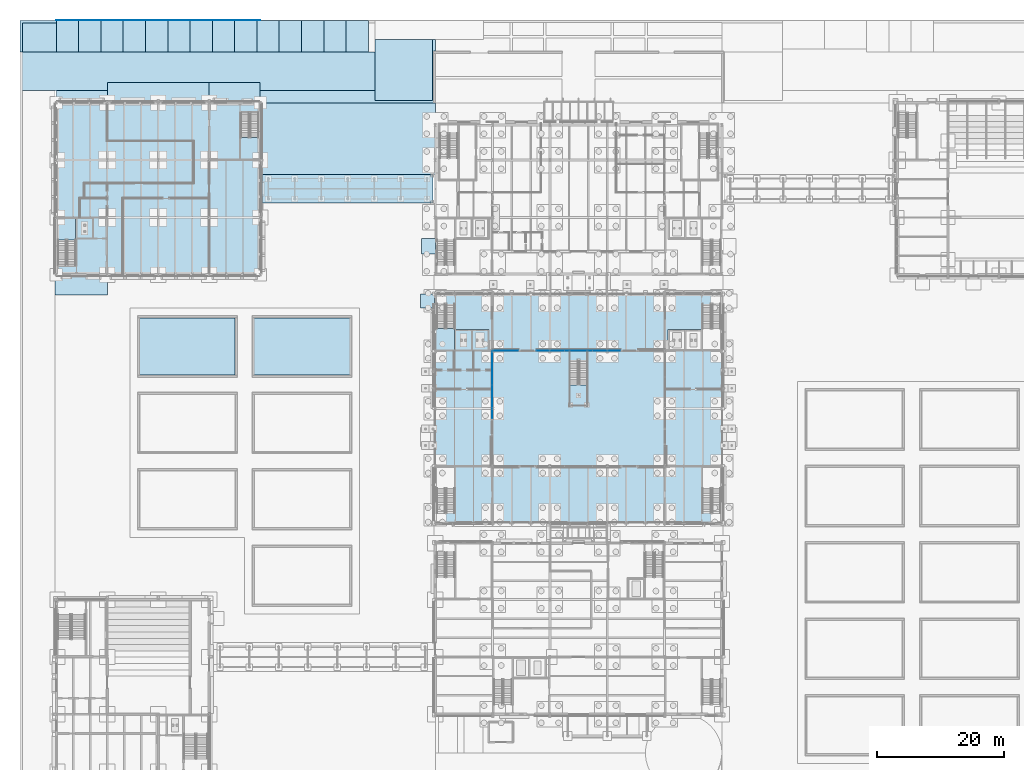
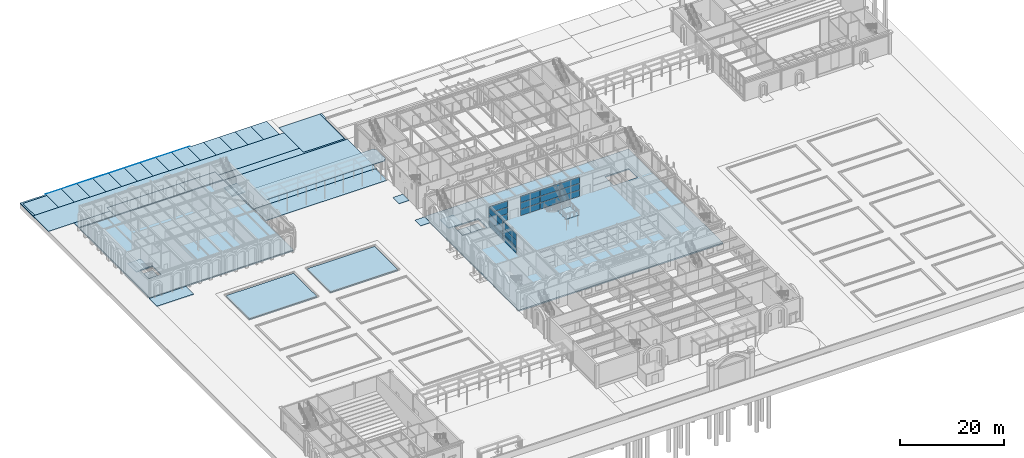
# One storey, part 61 of 126: 40 slabs, 18 plates, 7 elements without a shape of their own.
"""IFC4 building model written with IfcOpenShell, lengths in metres."""

from ifc_helpers import new_model, si_unit, direction, frame, origin, origin_2d, place, context, subcontext, project, spatial, polyline, rectangle, outline, extrude, material, layer, layer_set, type_object, element, aggregate, save


model = new_model("IFC4")

# Units and contexts
model_context = context("Model", 3, precision=1e-05, world=origin(), true_north=direction((0.0, 1.0)))
body_context = subcontext(model_context, "Body", "Model", "MODEL_VIEW")
ifc_project = project(units=[si_unit("LENGTHUNIT", "METRE"), si_unit("AREAUNIT", "SQUARE_METRE"), si_unit("VOLUMEUNIT", "CUBIC_METRE"), si_unit("PLANEANGLEUNIT", "RADIAN"), si_unit("MASSUNIT", "GRAM", prefix="KILO")], contexts=[model_context])

# Site, building, storey
site_placement = place(None, origin())
site = spatial("IfcSite", under=ifc_project, at=site_placement, CompositionType="ELEMENT")
building_placement = place(site_placement, origin())
building = spatial("IfcBuilding", under=site, at=building_placement, Name="Kallimachos Central Library", CompositionType="ELEMENT")
storey_placement = place(building_placement, origin())
storey = spatial("IfcBuildingStorey", under=building, at=storey_placement, Name="L00", CompositionType="ELEMENT", Elevation=0.0)

# Slab
ifc_material_1 = material(Name="Composite slab C30/37 on steel deck", Category="concrete")
ifc_layer_1 = layer(ifc_material_1, 0.14990234375)
ifc_layer_set_1 = layer_set([ifc_layer_1], Name="Arcade roof slab 150")
slab_type_1 = type_object("IfcSlabType", Name="Arcade roof slab 150", PredefinedType="ROOF", material=ifc_layer_set_1)
slab_1_placement = place(storey_placement, frame((0.0, 0.0, 4.64990234375)))
element("IfcSlab", 1, at=slab_1_placement, inside=storey, type_object=slab_type_1, Name="Arcade A1 roof", PredefinedType="ROOF", context=body_context, shape_type="SweptSolid", body=[
    extrude(outline(polyline([(38.300048828125, 98.25), (64.77490234375, 98.25), (64.77490234375, 98.60009765625), (65.175048828125, 98.60009765625), (65.175048828125, 102.39990234375), (64.77490234375, 102.39990234375), (64.77490234375, 102.75), (38.300048828125, 102.75), (38.300048828125, 98.25)])), origin(), (0.0, 0.0, 1.0), 0.150146484375),
])

# Curtain wall, plates
ifc_material_2 = material(Name="Aluminium and laminated glass", Category="aluminium")
curtain_wall_type = type_object("IfcCurtainWallType", Name="Atrium glazed screen", PredefinedType="NOTDEFINED", material=ifc_material_2)
curtain_wall_1_placement = place(storey_placement, origin())
curtain_wall_1 = element("IfcCurtainWall", 2, at=curtain_wall_1_placement, inside=storey, type_object=curtain_wall_type, Name="L00 atrium screen N", PredefinedType="NOTDEFINED")
ifc_material_3 = material(Name="Laminated glass", Category="glass")
ifc_layer_2 = layer(ifc_material_3, 0.028076171875)
ifc_layer_set_2 = layer_set([ifc_layer_2], Name="Atrium screen glass panel")
plate_type = type_object("IfcPlateType", Name="Atrium screen glass panel", PredefinedType="CURTAIN_PANEL", material=ifc_layer_set_2)
plate_1_placement = place(storey_placement, frame((76.550048828125, 75.080078125, 0.06005859375), z_axis=(0.0, 0.0, 1.0), x_axis=(1.0, 0.0, 0.0)))
plate_1 = element("IfcPlate", 3, at=plate_1_placement, type_object=plate_type, Name="CW panel 1.1", PredefinedType="CURTAIN_PANEL", context=body_context, shape_type="SweptSolid", body=[
    extrude(rectangle(XDim=3.97998046875, YDim=0.028076171875, at=origin_2d()), origin(), (0.0, 0.0, 1.0), 1.4599609375),
])
plate_2_placement = place(storey_placement, frame((76.550048828125, 75.080078125, 1.580078125), z_axis=(0.0, 0.0, 1.0), x_axis=(1.0, 0.0, 0.0)))
plate_2 = element("IfcPlate", 4, at=plate_2_placement, type_object=plate_type, Name="CW panel 1.2", PredefinedType="CURTAIN_PANEL", context=body_context, shape_type="SweptSolid", body=[
    extrude(rectangle(XDim=3.97998046875, YDim=0.028076171875, at=origin_2d()), origin(), (0.0, 0.0, 1.0), 1.489990234375),
])
plate_3_placement = place(storey_placement, frame((76.550048828125, 75.080078125, 3.130126953125), z_axis=(0.0, 0.0, 1.0), x_axis=(1.0, 0.0, 0.0)))
plate_3 = element("IfcPlate", 5, at=plate_3_placement, type_object=plate_type, Name="CW panel 1.3", PredefinedType="CURTAIN_PANEL", context=body_context, shape_type="SweptSolid", body=[
    extrude(rectangle(XDim=3.97998046875, YDim=0.028076171875, at=origin_2d()), origin(), (0.0, 0.0, 1.0), 1.4599609375),
])
aggregate(curtain_wall_1, [plate_1, plate_2, plate_3])

curtain_wall_2_placement = place(storey_placement, origin())
curtain_wall_2 = element("IfcCurtainWall", 6, at=curtain_wall_2_placement, inside=storey, type_object=curtain_wall_type, Name="L00 atrium screen N", PredefinedType="NOTDEFINED")
plate_4_placement = place(storey_placement, frame((83.614990234375, 75.080078125, 0.06005859375), z_axis=(0.0, 0.0, 1.0), x_axis=(1.0, 0.0, 0.0)))
plate_4 = element("IfcPlate", 7, at=plate_4_placement, type_object=plate_type, Name="CW panel 1.1", PredefinedType="CURTAIN_PANEL", context=body_context, shape_type="SweptSolid", body=[
    extrude(rectangle(XDim=4.31005859375, YDim=0.028076171875, at=origin_2d()), origin(), (0.0, 0.0, 1.0), 1.4599609375),
])
plate_5_placement = place(storey_placement, frame((83.614990234375, 75.080078125, 1.580078125), z_axis=(0.0, 0.0, 1.0), x_axis=(1.0, 0.0, 0.0)))
plate_5 = element("IfcPlate", 8, at=plate_5_placement, type_object=plate_type, Name="CW panel 1.2", PredefinedType="CURTAIN_PANEL", context=body_context, shape_type="SweptSolid", body=[
    extrude(rectangle(XDim=4.31005859375, YDim=0.028076171875, at=origin_2d()), origin(), (0.0, 0.0, 1.0), 1.489990234375),
])
plate_6_placement = place(storey_placement, frame((83.614990234375, 75.080078125, 3.130126953125), z_axis=(0.0, 0.0, 1.0), x_axis=(1.0, 0.0, 0.0)))
plate_6 = element("IfcPlate", 9, at=plate_6_placement, type_object=plate_type, Name="CW panel 1.3", PredefinedType="CURTAIN_PANEL", context=body_context, shape_type="SweptSolid", body=[
    extrude(rectangle(XDim=4.31005859375, YDim=0.028076171875, at=origin_2d()), origin(), (0.0, 0.0, 1.0), 1.4599609375),
])
plate_7_placement = place(storey_placement, frame((88.0, 75.080078125, 0.06005859375), z_axis=(0.0, 0.0, 1.0), x_axis=(1.0, 0.0, 0.0)))
plate_7 = element("IfcPlate", 10, at=plate_7_placement, type_object=plate_type, Name="CW panel 2.1", PredefinedType="CURTAIN_PANEL", context=body_context, shape_type="SweptSolid", body=[
    extrude(rectangle(XDim=4.340087890625, YDim=0.028076171875, at=origin_2d()), origin(), (0.0, 0.0, 1.0), 1.4599609375),
])
plate_8_placement = place(storey_placement, frame((88.0, 75.080078125, 1.580078125), z_axis=(0.0, 0.0, 1.0), x_axis=(1.0, 0.0, 0.0)))
plate_8 = element("IfcPlate", 11, at=plate_8_placement, type_object=plate_type, Name="CW panel 2.2", PredefinedType="CURTAIN_PANEL", context=body_context, shape_type="SweptSolid", body=[
    extrude(rectangle(XDim=4.340087890625, YDim=0.028076171875, at=origin_2d()), origin(), (0.0, 0.0, 1.0), 1.489990234375),
])
plate_9_placement = place(storey_placement, frame((88.0, 75.080078125, 3.130126953125), z_axis=(0.0, 0.0, 1.0), x_axis=(1.0, 0.0, 0.0)))
plate_9 = element("IfcPlate", 12, at=plate_9_placement, type_object=plate_type, Name="CW panel 2.3", PredefinedType="CURTAIN_PANEL", context=body_context, shape_type="SweptSolid", body=[
    extrude(rectangle(XDim=4.340087890625, YDim=0.028076171875, at=origin_2d()), origin(), (0.0, 0.0, 1.0), 1.4599609375),
])
plate_10_placement = place(storey_placement, frame((92.385009765625, 75.080078125, 0.06005859375), z_axis=(0.0, 0.0, 1.0), x_axis=(1.0, 0.0, 0.0)))
plate_10 = element("IfcPlate", 13, at=plate_10_placement, type_object=plate_type, Name="CW panel 3.1", PredefinedType="CURTAIN_PANEL", context=body_context, shape_type="SweptSolid", body=[
    extrude(rectangle(XDim=4.31005859375, YDim=0.028076171875, at=origin_2d()), origin(), (0.0, 0.0, 1.0), 1.4599609375),
])
plate_11_placement = place(storey_placement, frame((92.385009765625, 75.080078125, 1.580078125), z_axis=(0.0, 0.0, 1.0), x_axis=(1.0, 0.0, 0.0)))
plate_11 = element("IfcPlate", 14, at=plate_11_placement, type_object=plate_type, Name="CW panel 3.2", PredefinedType="CURTAIN_PANEL", context=body_context, shape_type="SweptSolid", body=[
    extrude(rectangle(XDim=4.31005859375, YDim=0.028076171875, at=origin_2d()), origin(), (0.0, 0.0, 1.0), 1.489990234375),
])
plate_12_placement = place(storey_placement, frame((92.385009765625, 75.080078125, 3.130126953125), z_axis=(0.0, 0.0, 1.0), x_axis=(1.0, 0.0, 0.0)))
plate_12 = element("IfcPlate", 15, at=plate_12_placement, type_object=plate_type, Name="CW panel 3.3", PredefinedType="CURTAIN_PANEL", context=body_context, shape_type="SweptSolid", body=[
    extrude(rectangle(XDim=4.31005859375, YDim=0.028076171875, at=origin_2d()), origin(), (0.0, 0.0, 1.0), 1.4599609375),
])
aggregate(curtain_wall_2, [plate_4, plate_5, plate_6, plate_7, plate_8, plate_9, plate_10, plate_11, plate_12])

curtain_wall_3_placement = place(storey_placement, origin())
curtain_wall_3 = element("IfcCurtainWall", 16, at=curtain_wall_3_placement, inside=storey, type_object=curtain_wall_type, Name="L00 atrium screen W", PredefinedType="NOTDEFINED")
plate_13_placement = place(storey_placement, frame((74.419921875, 67.06494140625, 0.06005859375), z_axis=(0.0, 0.0, 1.0), x_axis=(0.0, 1.0, 0.0)))
plate_13 = element("IfcPlate", 17, at=plate_13_placement, type_object=plate_type, Name="CW panel 1.1", PredefinedType="CURTAIN_PANEL", context=body_context, shape_type="SweptSolid", body=[
    extrude(rectangle(XDim=5.2099609375, YDim=0.028076171875, at=origin_2d()), origin(), (0.0, 0.0, 1.0), 1.4599609375),
])
plate_14_placement = place(storey_placement, frame((74.419921875, 67.06494140625, 1.580078125), z_axis=(0.0, 0.0, 1.0), x_axis=(0.0, 1.0, 0.0)))
plate_14 = element("IfcPlate", 18, at=plate_14_placement, type_object=plate_type, Name="CW panel 1.2", PredefinedType="CURTAIN_PANEL", context=body_context, shape_type="SweptSolid", body=[
    extrude(rectangle(XDim=5.2099609375, YDim=0.028076171875, at=origin_2d()), origin(), (0.0, 0.0, 1.0), 1.489990234375),
])
plate_15_placement = place(storey_placement, frame((74.419921875, 67.06494140625, 3.130126953125), z_axis=(0.0, 0.0, 1.0), x_axis=(0.0, 1.0, 0.0)))
plate_15 = element("IfcPlate", 19, at=plate_15_placement, type_object=plate_type, Name="CW panel 1.3", PredefinedType="CURTAIN_PANEL", context=body_context, shape_type="SweptSolid", body=[
    extrude(rectangle(XDim=5.2099609375, YDim=0.028076171875, at=origin_2d()), origin(), (0.0, 0.0, 1.0), 1.4599609375),
])
plate_16_placement = place(storey_placement, frame((74.419921875, 72.3349609375, 0.06005859375), z_axis=(0.0, 0.0, 1.0), x_axis=(0.0, 1.0, 0.0)))
plate_16 = element("IfcPlate", 20, at=plate_16_placement, type_object=plate_type, Name="CW panel 2.1", PredefinedType="CURTAIN_PANEL", context=body_context, shape_type="SweptSolid", body=[
    extrude(rectangle(XDim=5.2099609375, YDim=0.028076171875, at=origin_2d()), origin(), (0.0, 0.0, 1.0), 1.4599609375),
])
plate_17_placement = place(storey_placement, frame((74.419921875, 72.3349609375, 1.580078125), z_axis=(0.0, 0.0, 1.0), x_axis=(0.0, 1.0, 0.0)))
plate_17 = element("IfcPlate", 21, at=plate_17_placement, type_object=plate_type, Name="CW panel 2.2", PredefinedType="CURTAIN_PANEL", context=body_context, shape_type="SweptSolid", body=[
    extrude(rectangle(XDim=5.2099609375, YDim=0.028076171875, at=origin_2d()), origin(), (0.0, 0.0, 1.0), 1.489990234375),
])
plate_18_placement = place(storey_placement, frame((74.419921875, 72.3349609375, 3.130126953125), z_axis=(0.0, 0.0, 1.0), x_axis=(0.0, 1.0, 0.0)))
plate_18 = element("IfcPlate", 22, at=plate_18_placement, type_object=plate_type, Name="CW panel 2.3", PredefinedType="CURTAIN_PANEL", context=body_context, shape_type="SweptSolid", body=[
    extrude(rectangle(XDim=5.2099609375, YDim=0.028076171875, at=origin_2d()), origin(), (0.0, 0.0, 1.0), 1.4599609375),
])
aggregate(curtain_wall_3, [plate_13, plate_14, plate_15, plate_16, plate_17, plate_18])

# Slabs
ifc_material_4 = material(Name="Concrete C30/37", Category="concrete")
ifc_layer_3 = layer(ifc_material_4, 0.14990234375)
ifc_layer_set_3 = layer_set([ifc_layer_3], Name="Drive paving 150")
slab_type_2 = type_object("IfcSlabType", Name="Drive paving 150", PredefinedType="BASESLAB", material=ifc_layer_set_3)
slab_2_placement = place(storey_placement, frame((0.0, 0.0, -0.14990234375)))
element("IfcSlab", 23, at=slab_2_placement, inside=storey, type_object=slab_type_2, Name="Drive Aisle West", PredefinedType="BASESLAB", context=body_context, shape_type="SweptSolid", body=[
    extrude(outline(polyline([(56.0, 121.949951171875), (56.0, 115.949951171875), (38.0, 115.949951171875), (38.0, 117.199951171875), (14.0, 117.199951171875), (14.0, 115.949951171875), (0.300048828125, 115.949951171875), (0.300048828125, 121.949951171875), (56.0, 121.949951171875)])), origin(), (0.0, 0.0, 1.0), 0.14990234375),
])
slab_3_placement = place(storey_placement, frame((0.0, 0.0, -0.14990234375)))
element("IfcSlab", 24, at=slab_3_placement, inside=storey, type_object=slab_type_2, Name="Turning Area West", PredefinedType="BASESLAB", context=body_context, shape_type="SweptSolid", body=[
    extrude(outline(polyline([(65.10009765625, 114.39990234375), (56.0, 114.39990234375), (56.0, 123.949951171875), (65.10009765625, 123.949951171875), (65.10009765625, 114.39990234375)])), origin(), (0.0, 0.0, 1.0), 0.14990234375),
])
ifc_material_5 = material(Name="Concrete C30/37 with granite paving", Category="masonry")
ifc_layer_4 = layer(ifc_material_5, 0.199951171875)
ifc_layer_set_4 = layer_set([ifc_layer_4], Name="Entrance paving slab 200")
slab_type_3 = type_object("IfcSlabType", Name="Entrance paving slab 200", PredefinedType="FLOOR", material=ifc_layer_set_4)
slab_4_placement = place(storey_placement, frame((0.0, 0.0, -0.199951171875)))
element("IfcSlab", 25, at=slab_4_placement, inside=storey, type_object=slab_type_3, Name="Forecourt paving", PredefinedType="FLOOR", context=body_context, shape_type="SweptSolid", body=[
    extrude(outline(polyline([(14.0, 114.199951171875), (30.0, 114.199951171875), (30.0, 117.199951171875), (14.0, 117.199951171875), (14.0, 114.199951171875)])), origin(), (0.0, 0.0, 1.0), 0.199951171875),
])
slab_5_placement = place(storey_placement, frame((0.0, 0.0, -0.199951171875)))
element("IfcSlab", 26, at=slab_5_placement, inside=storey, type_object=slab_type_3, Name="Forecourt paving", PredefinedType="FLOOR", context=body_context, shape_type="SweptSolid", body=[
    extrude(outline(polyline([(30.0, 114.199951171875), (38.0, 114.199951171875), (38.0, 117.199951171875), (30.0, 117.199951171875), (30.0, 114.199951171875)])), origin(), (0.0, 0.0, 1.0), 0.199951171875),
])
slab_6_placement = place(storey_placement, frame((0.0, 0.0, -0.199951171875)))
element("IfcSlab", 27, at=slab_6_placement, inside=storey, type_object=slab_type_3, Name="Forecourt paving", PredefinedType="FLOOR", context=body_context, shape_type="SweptSolid", body=[
    extrude(outline(polyline([(5.800048828125, 83.800048828125), (14.0, 83.800048828125), (14.0, 86.800048828125), (5.800048828125, 86.800048828125), (5.800048828125, 83.800048828125)])), origin(), (0.0, 0.0, 1.0), 0.199951171875),
])
ifc_material_6 = material(Name="Concrete C30/37", Category="concrete")
ifc_layer_5 = layer(ifc_material_6, 0.300048828125)
ifc_layer_set_5 = layer_set([ifc_layer_5], Name="Ground floor slab 300")
slab_type_4 = type_object("IfcSlabType", Name="Ground floor slab 300", PredefinedType="BASESLAB", material=ifc_layer_set_5)
slab_7_placement = place(storey_placement, frame((0.0, 0.0, -0.300048828125)))
element("IfcSlab", 28, at=slab_7_placement, inside=storey, type_object=slab_type_4, Name="V4-SLB-L00-005", PredefinedType="BASESLAB", context=body_context, shape_type="SweptSolid", body=[
    extrude(outline(polyline([(65.35009765625, 47.85009765625), (65.35009765625, 84.14990234375), (110.64990234375, 84.14990234375), (110.64990234375, 47.85009765625), (65.35009765625, 47.85009765625)]), holes=[polyline([(68.550048828125, 75.0), (73.949951171875, 75.0), (73.949951171875, 78.39990234375), (68.550048828125, 78.39990234375), (68.550048828125, 75.0)]), polyline([(107.449951171875, 78.39990234375), (102.050048828125, 78.39990234375), (102.050048828125, 75.0), (107.449951171875, 75.0), (107.449951171875, 78.39990234375)])]), origin(), (0.0, 0.0, 1.0), 0.300048828125),
])
ifc_material_7 = material(Name="Concrete C30/37", Category="concrete")
ifc_layer_6 = layer(ifc_material_7, 0.300048828125)
ifc_layer_set_6 = layer_set([ifc_layer_6], Name="Ground slab 300")
slab_type_5 = type_object("IfcSlabType", Name="Ground slab 300", PredefinedType="BASESLAB", material=ifc_layer_set_6)
slab_8_placement = place(storey_placement, frame((0.0, 0.0, -0.300048828125)))
element("IfcSlab", 29, at=slab_8_placement, inside=storey, type_object=slab_type_5, Name="V2-SLB-L00-002", PredefinedType="BASESLAB", context=body_context, shape_type="SweptSolid", body=[
    extrude(outline(polyline([(6.0, 114.0), (38.0, 114.0), (38.0, 87.0), (6.0, 87.0), (6.0, 114.0)]), holes=[polyline([(11.85009765625, 92.60009765625), (11.85009765625, 96.0), (9.050048828125, 96.0), (9.050048828125, 92.60009765625), (11.85009765625, 92.60009765625)])]), origin(), (0.0, 0.0, 1.0), 0.300048828125),
])
ifc_material_8 = material(Name="Concrete C30/37", Category="concrete")
ifc_layer_7 = layer(ifc_material_8, 0.300048828125)
ifc_layer_set_7 = layer_set([ifc_layer_7], Name="Lift pit slab 300")
slab_type_6 = type_object("IfcSlabType", Name="Lift pit slab 300", PredefinedType="BASESLAB", material=ifc_layer_set_7)
slab_9_placement = place(storey_placement, frame((0.0, 0.0, -1.39990234375)))
element("IfcSlab", 30, at=slab_9_placement, inside=storey, type_object=slab_type_6, Name="V4-SLB-L00-001", PredefinedType="BASESLAB", context=body_context, shape_type="SweptSolid", body=[
    extrude(outline(polyline([(68.550048828125, 75.0), (71.35009765625, 75.0), (71.35009765625, 78.39990234375), (68.550048828125, 78.39990234375), (68.550048828125, 75.0)])), origin(), (0.0, 0.0, 1.0), 0.2998046875),
])
slab_10_placement = place(storey_placement, frame((0.0, 0.0, -1.39990234375)))
element("IfcSlab", 31, at=slab_10_placement, inside=storey, type_object=slab_type_6, Name="V4-SLB-L00-002", PredefinedType="BASESLAB", context=body_context, shape_type="SweptSolid", body=[
    extrude(outline(polyline([(73.949951171875, 78.39990234375), (73.949951171875, 75.0), (71.35009765625, 75.0), (71.35009765625, 78.39990234375), (73.949951171875, 78.39990234375)])), origin(), (0.0, 0.0, 1.0), 0.2998046875),
])
slab_11_placement = place(storey_placement, frame((0.0, 0.0, -1.39990234375)))
element("IfcSlab", 32, at=slab_11_placement, inside=storey, type_object=slab_type_6, Name="V2-SLB-L00-001", PredefinedType="BASESLAB", context=body_context, shape_type="SweptSolid", body=[
    extrude(outline(polyline([(9.050048828125, 92.60009765625), (11.85009765625, 92.60009765625), (11.85009765625, 96.0), (9.050048828125, 96.0), (9.050048828125, 92.60009765625)])), origin(), (0.0, 0.0, 1.0), 0.2998046875),
])
ifc_material_9 = material(Name="Concrete C30/37", Category="concrete")
ifc_layer_8 = layer(ifc_material_9, 0.14990234375)
ifc_layer_set_8 = layer_set([ifc_layer_8], Name="Parking bay paving 150")
slab_type_7 = type_object("IfcSlabType", Name="Parking bay paving 150", PredefinedType="BASESLAB", material=ifc_layer_set_8)
slab_12_placement = place(storey_placement, frame((0.0, 0.0, -0.14990234375)))
element("IfcSlab", 33, at=slab_12_placement, inside=storey, type_object=slab_type_7, Name="Accessible Parking Bay 1", PredefinedType="BASESLAB", context=body_context, shape_type="SweptSolid", body=[
    extrude(outline(polyline([(6.0, 121.949951171875), (6.0, 126.949951171875), (9.5, 126.949951171875), (9.5, 121.949951171875), (6.0, 121.949951171875)])), origin(), (0.0, 0.0, 1.0), 0.14990234375),
])
slab_13_placement = place(storey_placement, frame((0.0, 0.0, -0.14990234375)))
element("IfcSlab", 34, at=slab_13_placement, inside=storey, type_object=slab_type_7, Name="Accessible Parking Bay 2", PredefinedType="BASESLAB", context=body_context, shape_type="SweptSolid", body=[
    extrude(outline(polyline([(13.0, 126.949951171875), (13.0, 121.949951171875), (9.5, 121.949951171875), (9.5, 126.949951171875), (13.0, 126.949951171875)])), origin(), (0.0, 0.0, 1.0), 0.14990234375),
])
slab_14_placement = place(storey_placement, frame((0.0, 0.0, -0.14990234375)))
element("IfcSlab", 35, at=slab_14_placement, inside=storey, type_object=slab_type_7, Name="Accessible Parking Bay 3", PredefinedType="BASESLAB", context=body_context, shape_type="SweptSolid", body=[
    extrude(outline(polyline([(16.5, 126.949951171875), (16.5, 121.949951171875), (13.0, 121.949951171875), (13.0, 126.949951171875), (16.5, 126.949951171875)])), origin(), (0.0, 0.0, 1.0), 0.14990234375),
])
slab_15_placement = place(storey_placement, frame((0.0, 0.0, -0.14990234375)))
element("IfcSlab", 36, at=slab_15_placement, inside=storey, type_object=slab_type_7, Name="Accessible Parking Bay 4", PredefinedType="BASESLAB", context=body_context, shape_type="SweptSolid", body=[
    extrude(outline(polyline([(20.0, 126.949951171875), (20.0, 121.949951171875), (16.5, 121.949951171875), (16.5, 126.949951171875), (20.0, 126.949951171875)])), origin(), (0.0, 0.0, 1.0), 0.14990234375),
])
slab_16_placement = place(storey_placement, frame((0.0, 0.0, -0.14990234375)))
element("IfcSlab", 37, at=slab_16_placement, inside=storey, type_object=slab_type_7, Name="Accessible Parking Bay 5", PredefinedType="BASESLAB", context=body_context, shape_type="SweptSolid", body=[
    extrude(outline(polyline([(23.5, 126.949951171875), (23.5, 121.949951171875), (20.0, 121.949951171875), (20.0, 126.949951171875), (23.5, 126.949951171875)])), origin(), (0.0, 0.0, 1.0), 0.14990234375),
])
slab_17_placement = place(storey_placement, frame((0.0, 0.0, -0.14990234375)))
element("IfcSlab", 38, at=slab_17_placement, inside=storey, type_object=slab_type_7, Name="Accessible Parking Bay 6", PredefinedType="BASESLAB", context=body_context, shape_type="SweptSolid", body=[
    extrude(outline(polyline([(27.0, 126.949951171875), (27.0, 121.949951171875), (23.5, 121.949951171875), (23.5, 126.949951171875), (27.0, 126.949951171875)])), origin(), (0.0, 0.0, 1.0), 0.14990234375),
])
slab_18_placement = place(storey_placement, frame((0.0, 0.0, -0.14990234375)))
element("IfcSlab", 39, at=slab_18_placement, inside=storey, type_object=slab_type_7, Name="Accessible Parking Bay 7", PredefinedType="BASESLAB", context=body_context, shape_type="SweptSolid", body=[
    extrude(outline(polyline([(30.5, 126.949951171875), (30.5, 121.949951171875), (27.0, 121.949951171875), (27.0, 126.949951171875), (30.5, 126.949951171875)])), origin(), (0.0, 0.0, 1.0), 0.14990234375),
])
slab_19_placement = place(storey_placement, frame((0.0, 0.0, -0.14990234375)))
element("IfcSlab", 40, at=slab_19_placement, inside=storey, type_object=slab_type_7, Name="Accessible Parking Bay 8", PredefinedType="BASESLAB", context=body_context, shape_type="SweptSolid", body=[
    extrude(outline(polyline([(34.0, 126.949951171875), (34.0, 121.949951171875), (30.5, 121.949951171875), (30.5, 126.949951171875), (34.0, 126.949951171875)])), origin(), (0.0, 0.0, 1.0), 0.14990234375),
])
slab_20_placement = place(storey_placement, frame((0.0, 0.0, -0.14990234375)))
element("IfcSlab", 41, at=slab_20_placement, inside=storey, type_object=slab_type_7, Name="Accessible Parking Bay 9", PredefinedType="BASESLAB", context=body_context, shape_type="SweptSolid", body=[
    extrude(outline(polyline([(37.5, 126.949951171875), (37.5, 121.949951171875), (34.0, 121.949951171875), (34.0, 126.949951171875), (37.5, 126.949951171875)])), origin(), (0.0, 0.0, 1.0), 0.14990234375),
])
slab_21_placement = place(storey_placement, frame((0.0, 0.0, -0.14990234375)))
element("IfcSlab", 42, at=slab_21_placement, inside=storey, type_object=slab_type_7, Name="Accessible Parking Bay 10", PredefinedType="BASESLAB", context=body_context, shape_type="SweptSolid", body=[
    extrude(outline(polyline([(41.0, 126.949951171875), (41.0, 121.949951171875), (37.5, 121.949951171875), (37.5, 126.949951171875), (41.0, 126.949951171875)])), origin(), (0.0, 0.0, 1.0), 0.14990234375),
])
slab_22_placement = place(storey_placement, frame((0.0, 0.0, -0.14990234375)))
element("IfcSlab", 43, at=slab_22_placement, inside=storey, type_object=slab_type_7, Name="Accessible Parking Bay 11", PredefinedType="BASESLAB", context=body_context, shape_type="SweptSolid", body=[
    extrude(outline(polyline([(44.5, 126.949951171875), (44.5, 121.949951171875), (41.0, 121.949951171875), (41.0, 126.949951171875), (44.5, 126.949951171875)])), origin(), (0.0, 0.0, 1.0), 0.14990234375),
])
slab_23_placement = place(storey_placement, frame((0.0, 0.0, -0.14990234375)))
element("IfcSlab", 44, at=slab_23_placement, inside=storey, type_object=slab_type_7, Name="Accessible Parking Bay 12", PredefinedType="BASESLAB", context=body_context, shape_type="SweptSolid", body=[
    extrude(outline(polyline([(48.0, 126.949951171875), (48.0, 121.949951171875), (44.5, 121.949951171875), (44.5, 126.949951171875), (48.0, 126.949951171875)])), origin(), (0.0, 0.0, 1.0), 0.14990234375),
])
slab_24_placement = place(storey_placement, frame((0.0, 0.0, -0.14990234375)))
element("IfcSlab", 45, at=slab_24_placement, inside=storey, type_object=slab_type_7, Name="Accessible Parking Bay 13", PredefinedType="BASESLAB", context=body_context, shape_type="SweptSolid", body=[
    extrude(outline(polyline([(51.5, 126.949951171875), (51.5, 121.949951171875), (48.0, 121.949951171875), (48.0, 126.949951171875), (51.5, 126.949951171875)])), origin(), (0.0, 0.0, 1.0), 0.14990234375),
])
slab_25_placement = place(storey_placement, frame((0.0, 0.0, -0.14990234375)))
element("IfcSlab", 46, at=slab_25_placement, inside=storey, type_object=slab_type_7, Name="Accessible Parking Bay 14", PredefinedType="BASESLAB", context=body_context, shape_type="SweptSolid", body=[
    extrude(outline(polyline([(55.0, 126.949951171875), (55.0, 121.949951171875), (51.5, 121.949951171875), (51.5, 126.949951171875), (55.0, 126.949951171875)])), origin(), (0.0, 0.0, 1.0), 0.14990234375),
])
ifc_material_10 = material(Name="Concrete C30/37", Category="concrete")
ifc_layer_9 = layer(ifc_material_10, 0.14990234375)
ifc_layer_set_9 = layer_set([ifc_layer_9], Name="Paving slab 150")
slab_type_8 = type_object("IfcSlabType", Name="Paving slab 150", PredefinedType="BASESLAB", material=ifc_layer_set_9)
slab_26_placement = place(storey_placement, frame((0.0, 0.0, -0.14990234375)))
element("IfcSlab", 47, at=slab_26_placement, inside=storey, type_object=slab_type_8, Name="Court of Honour B", PredefinedType="BASESLAB", context=body_context, shape_type="SweptSolid", body=[
    extrude(outline(polyline([(38.0, 115.949951171875), (56.0, 115.949951171875), (56.0, 114.39990234375), (65.10009765625, 114.39990234375), (65.10009765625, 123.949951171875), (65.5, 123.949951171875), (65.5, 122.10009765625), (65.199951171875, 122.10009765625), (65.199951171875, 114.0), (38.0, 114.0), (38.0, 115.949951171875)])), origin(), (0.0, 0.0, 1.0), 0.14990234375),
])
slab_27_placement = place(storey_placement, frame((0.0, 0.0, -0.14990234375)))
element("IfcSlab", 48, at=slab_27_placement, inside=storey, type_object=slab_type_8, Name="West Park Forecourt A", PredefinedType="BASESLAB", context=body_context, shape_type="SweptSolid", body=[
    extrude(outline(polyline([(38.0, 126.949951171875), (6.0, 126.949951171875), (6.0, 127.0), (38.0, 127.0), (38.0, 126.949951171875)])), origin(), (0.0, 0.0, 1.0), 0.14990234375),
])
slab_28_placement = place(storey_placement, frame((0.0, 0.0, -0.14990234375)))
element("IfcSlab", 49, at=slab_28_placement, inside=storey, type_object=slab_type_8, Name="West Park Forecourt B", PredefinedType="BASESLAB", context=body_context, shape_type="SweptSolid", body=[
    extrude(outline(polyline([(6.0, 115.949951171875), (14.0, 115.949951171875), (14.0, 114.199951171875), (14.14990234375, 114.199951171875), (14.14990234375, 114.0), (13.85009765625, 114.0), (13.85009765625, 114.199951171875), (6.14990234375, 114.199951171875), (6.14990234375, 114.0), (6.0, 114.0), (6.0, 115.949951171875)])), origin(), (0.0, 0.0, 1.0), 0.14990234375),
])
slab_29_placement = place(storey_placement, frame((0.0, 0.0, -0.14990234375)))
element("IfcSlab", 50, at=slab_29_placement, inside=storey, type_object=slab_type_8, Name="Arcade A1 Paving", PredefinedType="BASESLAB", context=body_context, shape_type="SweptSolid", body=[
    extrude(outline(polyline([(38.300048828125, 98.25), (38.300048828125, 102.75), (65.175048828125, 102.75), (65.175048828125, 98.25), (38.300048828125, 98.25)])), origin(), (0.0, 0.0, 1.0), 0.14990234375),
])
slab_30_placement = place(storey_placement, frame((0.0, 0.0, -0.14990234375)))
element("IfcSlab", 51, at=slab_30_placement, inside=storey, type_object=slab_type_8, Name="Door Apron V4-DOR-L00-010", PredefinedType="BASESLAB", context=body_context, shape_type="SweptSolid", body=[
    extrude(outline(polyline([(63.146484375, 84.0), (65.346435546875, 84.0), (65.346435546875, 81.800048828125), (63.146484375, 81.800048828125), (63.146484375, 84.0)])), origin(), (0.0, 0.0, 1.0), 0.14990234375),
])
slab_31_placement = place(storey_placement, frame((0.0, 0.0, -0.14990234375)))
element("IfcSlab", 52, at=slab_31_placement, inside=storey, type_object=slab_type_8, Name="Door Apron V1-DOR-L00-012", PredefinedType="BASESLAB", context=body_context, shape_type="SweptSolid", body=[
    extrude(outline(polyline([(63.300048828125, 92.699951171875), (65.5, 92.699951171875), (65.5, 90.300048828125), (63.300048828125, 90.300048828125), (63.300048828125, 92.699951171875)])), origin(), (0.0, 0.0, 1.0), 0.14990234375),
])
slab_32_placement = place(storey_placement, frame((0.0, 0.0, -0.14990234375)))
element("IfcSlab", 53, at=slab_32_placement, inside=storey, type_object=slab_type_8, Name="Site Edge Kerb Paving B", PredefinedType="BASESLAB", context=body_context, shape_type="SweptSolid", body=[
    extrude(outline(polyline([(0.300048828125, 126.949951171875), (6.0, 126.949951171875), (6.0, 126.550048828125), (0.699951171875, 126.550048828125), (0.699951171875, 121.949951171875), (0.300048828125, 121.949951171875), (0.300048828125, 126.949951171875)])), origin(), (0.0, 0.0, 1.0), 0.14990234375),
])
ifc_material_11 = material(Name="Topsoil and planting")
ifc_layer_10 = layer(ifc_material_11, 0.300048828125)
ifc_layer_set_10 = layer_set([ifc_layer_10], Name="Planted ground 300")
slab_type_9 = type_object("IfcSlabType", Name="Planted ground 300", PredefinedType="BASESLAB", material=ifc_layer_set_10)
slab_33_placement = place(storey_placement, frame((0.0, 0.0, -0.300048828125)))
element("IfcSlab", 54, at=slab_33_placement, inside=storey, type_object=slab_type_9, Name="Garden Court Planting 4", PredefinedType="BASESLAB", context=body_context, shape_type="SweptSolid", body=[
    extrude(outline(polyline([(38.199951171875, 102.75), (38.199951171875, 114.0), (65.5, 114.0), (65.5, 102.75), (38.199951171875, 102.75)])), origin(), (0.0, 0.0, 1.0), 0.300048828125),
])
slab_34_placement = place(storey_placement, frame((0.0, 0.0, -0.300048828125)))
element("IfcSlab", 55, at=slab_34_placement, inside=storey, type_object=slab_type_9, Name="Garden Court Planting 7", PredefinedType="BASESLAB", context=body_context, shape_type="SweptSolid", body=[
    extrude(outline(polyline([(34.074951171875, 71.25), (19.074951171875, 71.25), (19.074951171875, 80.25), (34.074951171875, 80.25), (34.074951171875, 71.25)])), origin(), (0.0, 0.0, 1.0), 0.300048828125),
])
slab_35_placement = place(storey_placement, frame((0.0, 0.0, -0.300048828125)))
element("IfcSlab", 56, at=slab_35_placement, inside=storey, type_object=slab_type_9, Name="Garden Court Planting 16", PredefinedType="BASESLAB", context=body_context, shape_type="SweptSolid", body=[
    extrude(outline(polyline([(52.074951171875, 71.25), (37.074951171875, 71.25), (37.074951171875, 80.25), (52.074951171875, 80.25), (52.074951171875, 71.25)])), origin(), (0.0, 0.0, 1.0), 0.300048828125),
])
slab_36_placement = place(storey_placement, frame((0.0, 0.0, -0.300048828125)))
element("IfcSlab", 57, at=slab_36_placement, inside=storey, type_object=slab_type_9, Name="Park Edge Planting 1", PredefinedType="BASESLAB", context=body_context, shape_type="SweptSolid", body=[
    extrude(outline(polyline([(0.699951171875, 126.550048828125), (6.0, 126.550048828125), (6.0, 121.949951171875), (0.699951171875, 121.949951171875), (0.699951171875, 126.550048828125)])), origin(), (0.0, 0.0, 1.0), 0.300048828125),
])

# Stair, slab
ifc_material_12 = material(Name="Concrete C30/37", Category="concrete")
stair_type_1 = type_object("IfcStairType", Name="Escape stair", PredefinedType="HALF_TURN_STAIR", material=ifc_material_12)
stair_1_placement = place(storey_placement, origin())
stair_1 = element("IfcStair", 58, at=stair_1_placement, inside=storey, type_object=stair_type_1, Name="L00 stair ST9", PredefinedType="HALF_TURN_STAIR")
ifc_material_13 = material(Name="Concrete C30/37", Category="concrete")
ifc_layer_11 = layer(ifc_material_13, 0.199951171875)
ifc_layer_set_11 = layer_set([ifc_layer_11], Name="Stair landing")
slab_type_10 = type_object("IfcSlabType", Name="Stair landing", PredefinedType="LANDING", material=ifc_layer_set_11)
slab_37_placement = place(storey_placement, frame((0.0, 0.0, 2.5)))
slab_37 = element("IfcSlab", 59, at=slab_37_placement, type_object=slab_type_10, Name="ST9 landing 1", PredefinedType="LANDING", context=body_context, shape_type="SweptSolid", body=[
    extrude(outline(polyline([(65.54638671875, 75.199951171875), (68.550048828125, 75.199951171875), (68.550048828125, 78.530029296875), (65.54638671875, 78.530029296875), (65.54638671875, 75.199951171875)])), origin(), (0.0, 0.0, 1.0), 0.199951171875),
])
aggregate(stair_1, [slab_37])

stair_2_placement = place(storey_placement, origin())
stair_2 = element("IfcStair", 60, at=stair_2_placement, inside=storey, type_object=stair_type_1, Name="L00 atrium stair", PredefinedType="HALF_TURN_STAIR")
slab_38_placement = place(storey_placement, frame((0.0, 0.0, 2.5)))
slab_38 = element("IfcSlab", 61, at=slab_38_placement, type_object=slab_type_10, Name="SF1 landing 1", PredefinedType="LANDING", context=body_context, shape_type="SweptSolid", body=[
    extrude(outline(polyline([(86.574951171875, 69.72998046875), (86.574951171875, 66.39990234375), (89.425048828125, 66.39990234375), (89.425048828125, 69.72998046875), (86.574951171875, 69.72998046875)])), origin(), (0.0, 0.0, 1.0), 0.199951171875),
])
aggregate(stair_2, [slab_38])

ifc_material_14 = material(Name="Steel S355J2", Category="steel")
stair_type_2 = type_object("IfcStairType", Name="Escape stair half-turn", PredefinedType="HALF_TURN_STAIR", material=ifc_material_14)
stair_3_placement = place(storey_placement, origin())
stair_3 = element("IfcStair", 62, at=stair_3_placement, inside=storey, type_object=stair_type_2, Name="L00 stair ST5", PredefinedType="HALF_TURN_STAIR")
ifc_material_15 = material(Name="Concrete C30/37", Category="concrete")
ifc_layer_12 = layer(ifc_material_15, 0.199951171875)
ifc_layer_set_12 = layer_set([ifc_layer_12], Name="Stair landing 200")
slab_type_11 = type_object("IfcSlabType", Name="Stair landing 200", PredefinedType="LANDING", material=ifc_layer_set_12)
slab_39_placement = place(storey_placement, frame((0.0, 0.0, 2.5)))
slab_39 = element("IfcSlab", 63, at=slab_39_placement, type_object=slab_type_11, Name="ST5 landing 1", PredefinedType="LANDING", context=body_context, shape_type="SweptSolid", body=[
    extrude(outline(polyline([(9.050048828125, 92.469970703125), (9.050048828125, 95.800048828125), (6.199951171875, 95.800048828125), (6.199951171875, 92.469970703125), (9.050048828125, 92.469970703125)])), origin(), (0.0, 0.0, 1.0), 0.199951171875),
])
aggregate(stair_3, [slab_39])

stair_4_placement = place(storey_placement, origin())
stair_4 = element("IfcStair", 64, at=stair_4_placement, inside=storey, type_object=stair_type_2, Name="L00 stair ST6", PredefinedType="HALF_TURN_STAIR")
slab_40_placement = place(storey_placement, frame((0.0, 0.0, 2.5)))
slab_40 = element("IfcSlab", 65, at=slab_40_placement, type_object=slab_type_11, Name="ST6 landing 1", PredefinedType="LANDING", context=body_context, shape_type="SweptSolid", body=[
    extrude(outline(polyline([(34.949951171875, 108.530029296875), (34.949951171875, 105.199951171875), (37.800048828125, 105.199951171875), (37.800048828125, 108.530029296875), (34.949951171875, 108.530029296875)])), origin(), (0.0, 0.0, 1.0), 0.199951171875),
])
aggregate(stair_4, [slab_40])

save(model, "model.ifc")
